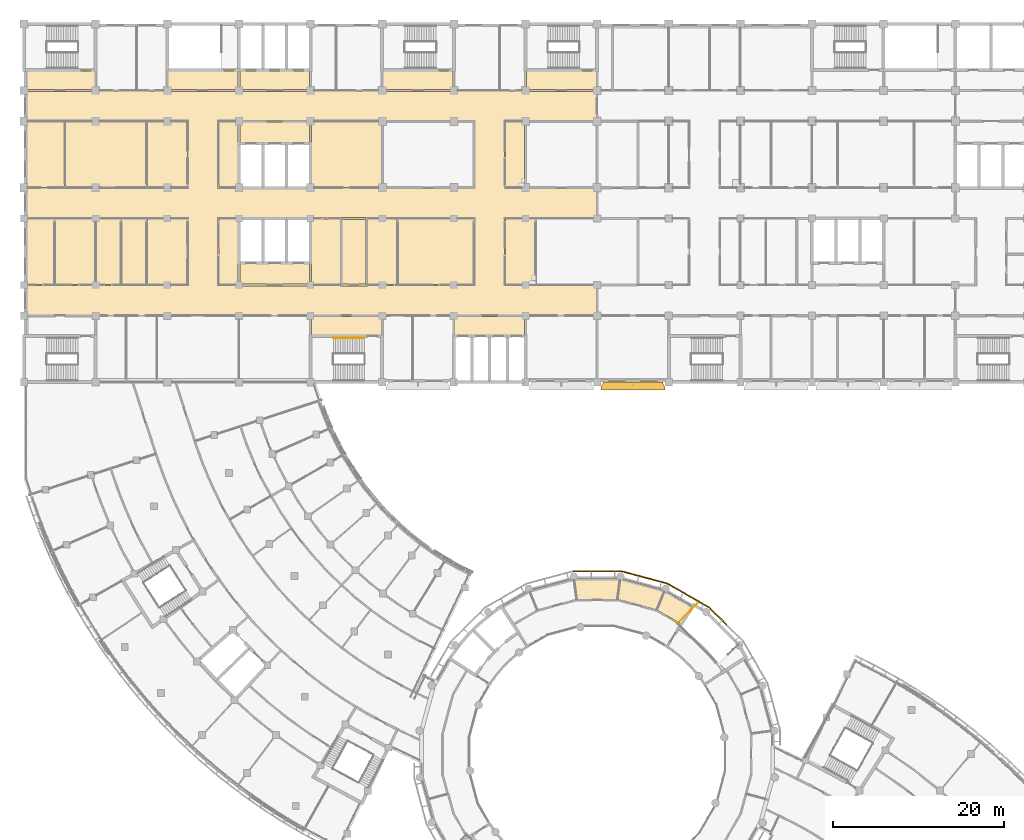
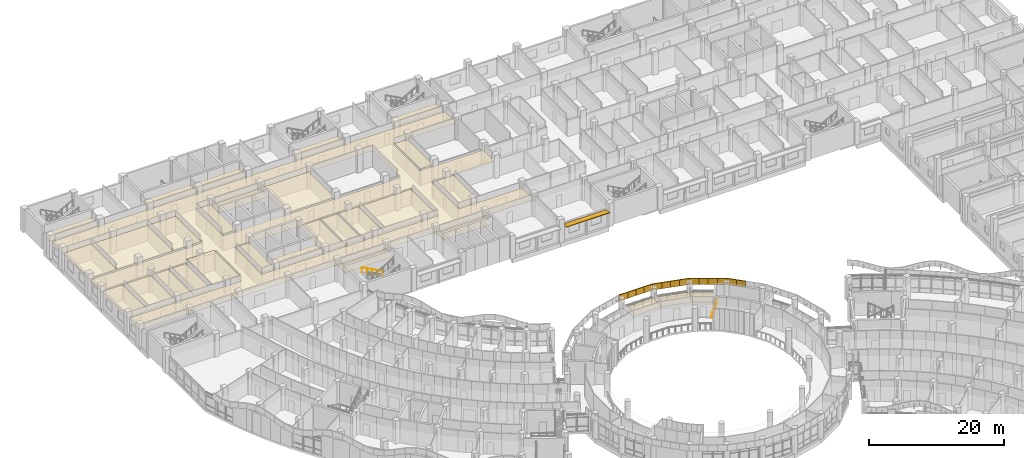
# One storey, part 101 of 109: 44 coverings, 2 railings, 1 shading device.
"""IFC4 building model written with IfcOpenShell, lengths in metres."""

from ifc_helpers import new_model, si_unit, direction, frame, origin, origin_2d, place, context, subcontext, project, spatial, polyline, circle, outline, extrude, material, layer, layer_set, type_object, element, save


model = new_model("IFC4")

# Units and contexts
model_context = context("Model", 3, precision=1e-05, world=origin(), true_north=direction((0.0, 1.0)))
body_context = subcontext(model_context, "Body", "Model", "MODEL_VIEW")
ifc_project = project(units=[si_unit("LENGTHUNIT", "METRE"), si_unit("AREAUNIT", "SQUARE_METRE"), si_unit("VOLUMEUNIT", "CUBIC_METRE"), si_unit("PLANEANGLEUNIT", "RADIAN"), si_unit("MASSUNIT", "GRAM", prefix="KILO")], contexts=[model_context])

# Site, building, storey
site_placement = place(None, origin())
site = spatial("IfcSite", under=ifc_project, at=site_placement, CompositionType="ELEMENT")
building_placement = place(site_placement, origin())
building = spatial("IfcBuilding", under=site, at=building_placement, Name="Bougainvillea Quay General Hospital", CompositionType="ELEMENT")
storey_placement = place(building_placement, frame((0.0, 0.0, 12.60009765625)))
storey = spatial("IfcBuildingStorey", under=building, at=storey_placement, Name="L02", CompositionType="ELEMENT", Elevation=12.60009765625)

# Coverings
ifc_material_1 = material(Name="Powder-coated aluminium fascia, white", Category="aluminium")
ifc_layer_1 = layer(ifc_material_1, 0.14990234375)
ifc_layer_set_1 = layer_set([ifc_layer_1], Name="Powder-coated aluminium fascia, white")
covering_type_1 = type_object("IfcCoveringType", Name="Aluminium fascia band white 150x1100", PredefinedType="CLADDING", material=ifc_layer_set_1)
covering_1_placement = place(storey_placement, frame((124.310791015625, 89.11083984375, 3.64990234375), z_axis=(0.0, 0.0, 1.0), x_axis=(-0.707106781187, 0.707106781187, 0.0)))
element("IfcCovering", 1, at=covering_1_placement, inside=storey, type_object=covering_type_1, Name="Fascia band white e1 13", PredefinedType="CLADDING", context=body_context, shape_type="SweptSolid", body=[
    extrude(outline(polyline([(0.0, 0.0), (1.370364655531937, 0.0), (1.370364655531937, -0.15019113760554115), (0.0, -0.15019113760554112), (0.0, 0.0)])), origin(), (0.0, 0.0, 1.0), 1.10009765625),
])
covering_2_placement = place(storey_placement, frame((123.341796875, 90.079833984375, 3.64990234375), z_axis=(0.0, 0.0, 1.0), x_axis=(-0.707022163611, 0.707191388638, 0.0)))
element("IfcCovering", 2, at=covering_2_placement, inside=storey, type_object=covering_type_1, Name="Fascia band white e1 14", PredefinedType="CLADDING", context=body_context, shape_type="SweptSolid", body=[
    extrude(outline(polyline([(0.0, 0.0), (1.4426980987993736, 1.1102230246251565e-16), (1.4625689014186596, -0.15001612744454185), (1.797189619842654e-05, -0.15019113653028107), (0.0, 0.0)])), origin(), (0.0, 0.0, 1.0), 1.10009765625),
])
covering_3_placement = place(storey_placement, frame((122.32177734375, 91.10009765625, 3.64990234375), z_axis=(0.0, 0.0, 1.0), x_axis=(-0.866058810152, 0.49994213401, 0.0)))
element("IfcCovering", 3, at=covering_3_placement, inside=storey, type_object=covering_type_1, Name="Fascia band white e1 15", PredefinedType="CLADDING", context=body_context, shape_type="SweptSolid", body=[
    extrude(outline(polyline([(0.0, 0.0), (1.4430380994058942, 0.0), (1.4430598671248545, -0.14995740286665526), (-0.01966128942728619, -0.15004373025304368), (0.0, 0.0)])), origin(), (0.0, 0.0, 1.0), 1.10009765625),
])
for number, where, z_axis, x_axis, name in (
    (4, (121.072021484375, 91.821533203125, 3.64990234375), (0.0, 0.0, 1.0), (-0.866031343357, 0.499989712218, 0.0), "Fascia band white e1 16"),
    (5, (119.885009765625, 92.5068359375, 3.64990234375), (0.0, 0.0, 1.0), (-0.866031343357, 0.499989712218, 0.0), "Fascia band white e1 17"),
):
    element("IfcCovering", number, at=place(storey_placement, frame(where, z_axis=z_axis, x_axis=x_axis)), inside=storey, type_object=covering_type_1, Name=name, PredefinedType="CLADDING", context=body_context, shape_type="SweptSolid", body=[
        extrude(outline(polyline([(0.0, 0.0), (1.3706336703115394, 0.0), (1.3706636762903692, -0.14995740144450076), (3.0005978829975022e-05, -0.14995740144450084), (0.0, 0.0)])), origin(), (0.0, 0.0, 1.0), 1.10009765625),
    ])
covering_4_placement = place(storey_placement, frame((118.697998046875, 93.192138671875, 3.64990234375), z_axis=(0.0, 0.0, 1.0), x_axis=(-0.866058810152, 0.49994213401, 0.0)))
element("IfcCovering", 6, at=covering_4_placement, inside=storey, type_object=covering_type_1, Name="Fascia band white e1 18", PredefinedType="CLADDING", context=body_context, shape_type="SweptSolid", body=[
    extrude(outline(polyline([(0.0, 0.0), (1.4430380994058942, 0.0), (1.4627429242711008, -0.1498710754802669), (2.176771896013341e-05, -0.14995740286665532), (0.0, 0.0)])), origin(), (0.0, 0.0, 1.0), 1.10009765625),
])
covering_5_placement = place(storey_placement, frame((117.4482421875, 93.91357421875, 3.64990234375), z_axis=(0.0, 0.0, 1.0), x_axis=(-0.965902723626, 0.258905250026, 0.0)))
element("IfcCovering", 7, at=covering_5_placement, inside=storey, type_object=covering_type_1, Name="Fascia band white e1 19", PredefinedType="CLADDING", context=body_context, shape_type="SweptSolid", body=[
    extrude(outline(polyline([(0.0, 0.0), (1.4427484812010494, 1.1102230246251565e-16), (1.4427368308614057, -0.14988922115835263), (-0.01973270080190174, -0.14986740775646634), (0.0, 0.0)])), origin(), (0.0, 0.0, 1.0), 1.10009765625),
])
for number, where, z_axis, x_axis, name in (
    (8, (116.0546875, 94.287109375, 3.64990234375), (0.0, 0.0, 1.0), (-0.965917832393, 0.258848876884, 0.0), "Fascia band white e1 20"),
    (9, (114.73095703125, 94.641845703125, 3.64990234375), (0.0, 0.0, 1.0), (-0.965917832393, 0.258848876884, 0.0), "Fascia band white e1 21"),
):
    element("IfcCovering", number, at=place(storey_placement, frame(where, z_axis=z_axis, x_axis=x_axis)), inside=storey, type_object=covering_type_1, Name=name, PredefinedType="CLADDING", context=body_context, shape_type="SweptSolid", body=[
        extrude(outline(polyline([(0.0, 0.0), (1.3704379651734342, 5.551115123125783e-17), (1.3704175668926584, -0.14988922022313056), (-2.039828077596978e-05, -0.14988922022313056), (0.0, 0.0)])), origin(), (0.0, 0.0, 1.0), 1.10009765625),
    ])
covering_6_placement = place(storey_placement, frame((113.4072265625, 94.99658203125, 3.64990234375), z_axis=(0.0, 0.0, 1.0), x_axis=(-0.96591406393, 0.258862938836, 0.0)))
element("IfcCovering", 10, at=covering_6_placement, inside=storey, type_object=covering_type_1, Name="Fascia band white e1 22", PredefinedType="CLADDING", context=body_context, shape_type="SweptSolid", body=[
    extrude(outline(polyline([(0.0, 0.0), (1.4429842986801122, 5.551115123125783e-17), (1.4626871319971926, -0.1499118977779743), (-1.8216170730327164e-05, -0.14988922050420808), (0.0, 0.0)])), origin(), (0.0, 0.0, 1.0), 1.10009765625),
])
covering_7_placement = place(storey_placement, frame((112.013427734375, 95.3701171875, 3.64990234375), z_axis=(0.0, 0.0, 1.0), x_axis=(-1.0, 0.0, 0.0)))
element("IfcCovering", 11, at=covering_7_placement, inside=storey, type_object=covering_type_1, Name="Fascia band white e1 23", PredefinedType="CLADDING", context=body_context, shape_type="SweptSolid", body=[
    extrude(outline(polyline([(0.0, 0.0), (1.44287109375, 0.0), (1.44287109375, -0.14990234375), (-0.019775390625, -0.14990234375), (0.0, 0.0)])), origin(), (0.0, 0.0, 1.0), 1.10009765625),
])
covering_8_placement = place(storey_placement, frame((110.570556640625, 95.3701171875, 3.64990234375), z_axis=(0.0, 0.0, 1.0), x_axis=(-1.0, 0.0, 0.0)))
element("IfcCovering", 12, at=covering_8_placement, inside=storey, type_object=covering_type_1, Name="Fascia band white e1 24", PredefinedType="CLADDING", context=body_context, shape_type="SweptSolid", body=[
    extrude(outline(polyline([(0.0, 0.0), (1.37060546875, 0.0), (1.37060546875, -0.14990234375), (0.0, -0.14990234375), (0.0, 0.0)])), origin(), (0.0, 0.0, 1.0), 1.10009765625),
])
covering_9_placement = place(storey_placement, frame((109.199951171875, 95.3701171875, 3.64990234375), z_axis=(0.0, 0.0, 1.0), x_axis=(-1.0, 0.0, 0.0)))
element("IfcCovering", 13, at=covering_9_placement, inside=storey, type_object=covering_type_1, Name="Fascia band white e1 25", PredefinedType="CLADDING", context=body_context, shape_type="SweptSolid", body=[
    extrude(outline(polyline([(0.0, 0.0), (1.370361328125, 0.0), (1.370361328125, -0.14990234375), (0.0, -0.14990234375), (0.0, 0.0)])), origin(), (0.0, 0.0, 1.0), 1.10009765625),
])
covering_10_placement = place(storey_placement, frame((107.82958984375, 95.3701171875, 3.64990234375), z_axis=(0.0, 0.0, 1.0), x_axis=(-1.0, 0.0, 0.0)))
element("IfcCovering", 14, at=covering_10_placement, inside=storey, type_object=covering_type_1, Name="Fascia band white e1 26", PredefinedType="CLADDING", context=body_context, shape_type="SweptSolid", body=[
    extrude(outline(polyline([(0.0, 0.0), (1.443115234375, 0.0), (1.462646484375, -0.14990234375), (0.0, -0.14990234375), (0.0, 0.0)])), origin(), (0.0, 0.0, 1.0), 1.10009765625),
])

# Railings
ifc_material_2 = material(Name="Stainless steel 304 balustrade", Category="steel")
railing_type_1 = type_object("IfcRailingType", Name="Stair guard 1100", PredefinedType="GUARDRAIL", material=ifc_material_2)
railing_1_placement = place(storey_placement, frame((121.00048828125, 91.710693359375, 0.0)))
element("IfcRailing", 15, at=railing_1_placement, inside=storey, type_object=railing_type_1, Name="L02 ST-H1 top well guard 3", PredefinedType="GUARDRAIL", context=body_context, shape_type="SweptSolid", body=[
    extrude(circle(Radius=0.02392578125, at=origin_2d()), frame((0.0, 0.0, 1.076171875), z_axis=(-0.707071148806, -0.707142411772, 0.0), x_axis=(0.707142411772, -0.707071148806, 0.0)), (0.0, 0.0, 1.0), 3.426025390625),
    extrude(circle(Radius=0.02099609375, at=origin_2d()), origin(), (0.0, 0.0, 1.0), 1.052001953125),
    extrude(circle(Radius=0.02099609375, at=origin_2d()), frame((-0.807373046875, -0.8076171875, 0.0)), (0.0, 0.0, 1.0), 1.052001953125),
    extrude(circle(Radius=0.02099609375, at=origin_2d()), frame((-1.614990234375, -1.614990234375, 0.0)), (0.0, 0.0, 1.0), 1.052001953125),
    extrude(circle(Radius=0.02099609375, at=origin_2d()), frame((-2.42236328125, -2.422607421875, 0.0)), (0.0, 0.0, 1.0), 1.052001953125),
])
ifc_material_3 = material(Name="Stainless steel 304 handrail", Category="steel")
railing_type_2 = type_object("IfcRailingType", Name="Stair handrail 900", PredefinedType="HANDRAIL", material=ifc_material_3)
railing_2_placement = place(storey_placement, frame((81.89990234375, 122.77490234375, 0.14990234375)))
element("IfcRailing", 16, at=railing_2_placement, inside=storey, type_object=railing_type_2, Name="L02 ST-B2 stair handrail 1", PredefinedType="HANDRAIL", context=body_context, shape_type="SweptSolid", body=[
    extrude(circle(Radius=0.02392578125, at=origin_2d()), frame((0.0, 0.0, 0.8759765625), z_axis=(-0.881479091078, 0.0, 0.472223053219), x_axis=(0.0, -1.0, 0.0)), (0.0, 0.0, 1.0), 4.12939453125),
    extrude(circle(Radius=0.02099609375, at=origin_2d()), origin(), (0.0, 0.0, 1.0), 0.851806640625),
    extrude(circle(Radius=0.02099609375, at=origin_2d()), frame((-0.909912109375, 0.0, 0.487548828125)), (0.0, 0.0, 1.0), 0.851806640625),
    extrude(circle(Radius=0.02099609375, at=origin_2d()), frame((-1.81982421875, 0.0, 0.97509765625)), (0.0, 0.0, 1.0), 0.851806640625),
    extrude(circle(Radius=0.02099609375, at=origin_2d()), frame((-2.72998046875, 0.0, 1.46240234375)), (0.0, 0.0, 1.0), 0.851806640625),
    extrude(circle(Radius=0.02099609375, at=origin_2d()), frame((-3.639892578125, 0.0, 1.949951171875)), (0.0, 0.0, 1.0), 0.851806640625),
])

# Shading device
ifc_material_4 = material(Name="Powder-coated aluminium canopy soffit and fascia, white", Category="aluminium")
ifc_layer_2 = layer(ifc_material_4, 0.10009765625)
ifc_layer_set_2 = layer_set([ifc_layer_2], Name="Powder-coated aluminium canopy soffit and fascia, white")
shading_device_type = type_object("IfcShadingDeviceType", Name="Sunshade 100", PredefinedType="USERDEFINED", material=ifc_layer_set_2)
shading_device_placement = place(storey_placement, frame((0.0, 0.0, 2.849853515625)))
element("IfcShadingDevice", 17, at=shading_device_placement, inside=storey, type_object=shading_device_type, Name="Sunshade 0", ObjectType="Sunshade", PredefinedType="USERDEFINED", context=body_context, shape_type="SweptSolid", body=[
    extrude(outline(polyline([(116.925048828125, 117.60009765625), (109.875, 117.60009765625), (109.862060546875, 117.46826171875), (109.82373046875, 117.341796875), (109.76123046875, 117.22509765625), (109.7216796875, 117.171875), (109.64990234375, 117.097900390625), (109.64990234375, 116.699951171875), (117.14990234375, 116.699951171875), (117.14990234375, 117.097900390625), (117.078125, 117.171875), (117.038818359375, 117.22509765625), (116.976318359375, 117.341796875), (116.93798828125, 117.46826171875), (116.925048828125, 117.60009765625)])), origin(), (0.0, 0.0, 1.0), 0.10009765625),
])

# Coverings
ifc_material_5 = material(Name="Mineral fibre ceiling tile")
ifc_layer_3 = layer(ifc_material_5, 0.030029296875)
ifc_layer_set_3 = layer_set([ifc_layer_3], Name="Mineral fibre ceiling tile")
covering_type_2 = type_object("IfcCoveringType", Name="Suspended ceiling mineral fibre tile", PredefinedType="CEILING", material=ifc_layer_set_3)
covering_11_placement = place(storey_placement, frame((0.0, 0.0, 2.699951171875)))
element("IfcCovering", 18, at=covering_11_placement, inside=storey, type_object=covering_type_2, Name="Ceiling Corridor V4-5", PredefinedType="CEILING", context=body_context, shape_type="SweptSolid", body=[
    extrude(outline(polyline([(42.0, 125.5), (50.5, 125.5), (50.5, 125.449951171875), (75.5, 125.449951171875), (75.5, 125.5), (84.10009765625, 125.5), (84.10009765625, 125.449951171875), (92.300048828125, 125.449951171875), (92.300048828125, 125.5), (100.89990234375, 125.5), (100.89990234375, 125.449951171875), (109.097900390625, 125.449951171875), (109.097900390625, 125.5), (109.10009765625, 125.5), (109.10009765625, 128.949951171875), (98.35009765625, 128.949951171875), (98.35009765625, 136.85009765625), (109.10009765625, 136.85009765625), (109.10009765625, 140.300048828125), (100.699951171875, 140.300048828125), (100.699951171875, 140.35009765625), (98.35009765625, 140.35009765625), (98.35009765625, 148.25), (100.699951171875, 148.25), (100.699951171875, 148.300048828125), (109.10009765625, 148.300048828125), (109.10009765625, 151.699951171875), (100.699951171875, 151.699951171875), (100.699951171875, 151.75), (92.5, 151.75), (92.5, 151.699951171875), (83.89990234375, 151.699951171875), (83.89990234375, 151.75), (75.699951171875, 151.75), (75.699951171875, 151.699951171875), (58.699951171875, 151.699951171875), (58.699951171875, 151.75), (50.5, 151.75), (50.5, 151.699951171875), (42.0, 151.699951171875), (42.0, 148.25), (61.25, 148.25), (61.25, 140.35009765625), (42.0, 140.35009765625), (42.0, 136.85009765625), (61.25, 136.85009765625), (61.25, 129.050048828125), (61.25, 128.949951171875), (42.0, 128.949951171875), (42.0, 125.5)]), holes=[polyline([(64.75, 128.949951171875), (67.10009765625, 128.949951171875), (67.10009765625, 128.89990234375), (75.699951171875, 128.89990234375), (75.699951171875, 128.949951171875), (79.10009765625, 128.949951171875), (79.10009765625, 128.89990234375), (82.300048828125, 128.89990234375), (82.300048828125, 128.949951171875), (94.85009765625, 128.949951171875), (94.85009765625, 136.85009765625), (82.300048828125, 136.85009765625), (82.300048828125, 136.89990234375), (79.10009765625, 136.89990234375), (79.10009765625, 136.85009765625), (64.75, 136.85009765625), (64.75, 128.949951171875)]), polyline([(64.75, 140.35009765625), (83.89990234375, 140.35009765625), (83.89990234375, 140.300048828125), (94.89990234375, 140.300048828125), (94.89990234375, 148.300048828125), (83.89990234375, 148.300048828125), (83.89990234375, 148.25), (75.699951171875, 148.25), (75.699951171875, 148.300048828125), (67.10009765625, 148.300048828125), (67.10009765625, 148.25), (64.75, 148.25), (64.75, 140.35009765625)])]), origin(), (0.0, 0.0, 1.0), 0.030029296875),
])
covering_12_placement = place(storey_placement, frame((0.0, 0.0, 2.699951171875)))
element("IfcCovering", 19, at=covering_12_placement, inside=storey, type_object=covering_type_2, Name="Ceiling Fire Lift Lobby LB-A1", PredefinedType="CEILING", context=body_context, shape_type="SweptSolid", body=[
    extrude(outline(polyline([(75.5, 148.10009765625), (67.300048828125, 148.10009765625), (67.300048828125, 145.699951171875), (75.5, 145.699951171875), (75.5, 148.10009765625)])), origin(), (0.0, 0.0, 1.0), 0.030029296875),
])
covering_13_placement = place(storey_placement, frame((0.0, 0.0, 2.699951171875)))
element("IfcCovering", 20, at=covering_13_placement, inside=storey, type_object=covering_type_2, Name="Ceiling Fire Lift Lobby LB-B1", PredefinedType="CEILING", context=body_context, shape_type="SweptSolid", body=[
    extrude(outline(polyline([(75.5, 131.5), (67.300048828125, 131.5), (67.300048828125, 129.10009765625), (75.5, 129.10009765625), (75.5, 131.5)])), origin(), (0.0, 0.0, 1.0), 0.030029296875),
])
covering_14_placement = place(storey_placement, frame((0.0, 0.0, 2.699951171875)))
element("IfcCovering", 21, at=covering_14_placement, inside=storey, type_object=covering_type_2, Name="Ceiling Lift Lobby LB-G1", PredefinedType="CEILING", context=body_context, shape_type="SweptSolid", body=[
    extrude(outline(polyline([(75.5, 154.10009765625), (67.300048828125, 154.10009765625), (67.300048828125, 151.89990234375), (75.5, 151.89990234375), (75.5, 154.10009765625)])), origin(), (0.0, 0.0, 1.0), 0.030029296875),
])
covering_15_placement = place(storey_placement, frame((0.0, 0.0, 2.699951171875)))
element("IfcCovering", 22, at=covering_15_placement, inside=storey, type_object=covering_type_2, Name="Ceiling Lift Lobby LB-P1", PredefinedType="CEILING", context=body_context, shape_type="SweptSolid", body=[
    extrude(outline(polyline([(100.699951171875, 125.300048828125), (92.5, 125.300048828125), (92.5, 123.10009765625), (100.699951171875, 123.10009765625), (100.699951171875, 125.300048828125)])), origin(), (0.0, 0.0, 1.0), 0.030029296875),
])
covering_16_placement = place(storey_placement, frame((0.0, 0.0, 2.699951171875)))
element("IfcCovering", 23, at=covering_16_placement, inside=storey, type_object=covering_type_2, Name="Ceiling Smoke-proof Stair Vestibule ST-A1", PredefinedType="CEILING", context=body_context, shape_type="SweptSolid", body=[
    extrude(outline(polyline([(42.0, 151.89990234375), (50.300048828125, 151.89990234375), (50.300048828125, 154.10009765625), (42.0, 154.10009765625), (42.0, 151.89990234375)])), origin(), (0.0, 0.0, 1.0), 0.030029296875),
])
covering_17_placement = place(storey_placement, frame((0.0, 0.0, 2.699951171875)))
element("IfcCovering", 24, at=covering_17_placement, inside=storey, type_object=covering_type_2, Name="Ceiling Smoke-proof Stair Vestibule ST-A2", PredefinedType="CEILING", context=body_context, shape_type="SweptSolid", body=[
    extrude(outline(polyline([(92.300048828125, 154.10009765625), (84.10009765625, 154.10009765625), (84.10009765625, 151.89990234375), (92.300048828125, 151.89990234375), (92.300048828125, 154.10009765625)])), origin(), (0.0, 0.0, 1.0), 0.030029296875),
])
covering_18_placement = place(storey_placement, frame((0.0, 0.0, 2.699951171875)))
element("IfcCovering", 25, at=covering_18_placement, inside=storey, type_object=covering_type_2, Name="Ceiling Smoke-proof Stair Vestibule ST-A5", PredefinedType="CEILING", context=body_context, shape_type="SweptSolid", body=[
    extrude(outline(polyline([(109.10009765625, 154.10009765625), (100.89990234375, 154.10009765625), (100.89990234375, 151.89990234375), (109.10009765625, 151.89990234375), (109.10009765625, 154.10009765625)])), origin(), (0.0, 0.0, 1.0), 0.030029296875),
])
covering_19_placement = place(storey_placement, frame((0.0, 0.0, 2.699951171875)))
element("IfcCovering", 26, at=covering_19_placement, inside=storey, type_object=covering_type_2, Name="Ceiling Smoke-proof Stair Vestibule ST-B2", PredefinedType="CEILING", context=body_context, shape_type="SweptSolid", body=[
    extrude(outline(polyline([(83.89990234375, 123.10009765625), (83.89990234375, 125.300048828125), (75.699951171875, 125.300048828125), (75.699951171875, 123.10009765625), (83.89990234375, 123.10009765625)])), origin(), (0.0, 0.0, 1.0), 0.030029296875),
])
covering_20_placement = place(storey_placement, frame((0.0, 0.0, 2.699951171875)))
element("IfcCovering", 27, at=covering_20_placement, inside=storey, type_object=covering_type_2, Name="Ceiling Smoke-proof Stair Vestibule ST-D1", PredefinedType="CEILING", context=body_context, shape_type="SweptSolid", body=[
    extrude(outline(polyline([(67.10009765625, 151.89990234375), (67.10009765625, 154.10009765625), (58.89990234375, 154.10009765625), (58.89990234375, 151.89990234375), (67.10009765625, 151.89990234375)])), origin(), (0.0, 0.0, 1.0), 0.030029296875),
])
covering_21_placement = place(storey_placement, frame((0.0, 0.0, 2.7998046875)))
element("IfcCovering", 28, at=covering_21_placement, inside=storey, type_object=covering_type_2, Name="Ceiling Rehabilitation Consulting Room", PredefinedType="CEILING", context=body_context, shape_type="SweptSolid", body=[
    extrude(outline(polyline([(42.0, 129.050048828125), (45.550048828125, 129.050048828125), (45.550048828125, 136.75), (42.0, 136.75), (42.0, 129.050048828125)])), origin(), (0.0, 0.0, 1.0), 0.030029296875),
])
covering_22_placement = place(storey_placement, frame((0.0, 0.0, 2.7998046875)))
element("IfcCovering", 29, at=covering_22_placement, inside=storey, type_object=covering_type_2, Name="Ceiling Prosthetics and Orthotics Workshop", PredefinedType="CEILING", context=body_context, shape_type="SweptSolid", body=[
    extrude(outline(polyline([(45.64990234375, 129.050048828125), (50.35009765625, 129.050048828125), (50.35009765625, 136.75), (45.64990234375, 136.75), (45.64990234375, 129.050048828125)])), origin(), (0.0, 0.0, 1.0), 0.030029296875),
])
covering_23_placement = place(storey_placement, frame((0.0, 0.0, 2.7998046875)))
element("IfcCovering", 30, at=covering_23_placement, inside=storey, type_object=covering_type_2, Name="Ceiling Rehabilitation Changing Room 01", PredefinedType="CEILING", context=body_context, shape_type="SweptSolid", body=[
    extrude(outline(polyline([(50.449951171875, 136.75), (50.449951171875, 129.050048828125), (53.35009765625, 129.050048828125), (53.35009765625, 136.75), (50.449951171875, 136.75)])), origin(), (0.0, 0.0, 1.0), 0.030029296875),
])
covering_24_placement = place(storey_placement, frame((0.0, 0.0, 2.7998046875)))
element("IfcCovering", 31, at=covering_24_placement, inside=storey, type_object=covering_type_2, Name="Ceiling Rehabilitation Accessible WC", PredefinedType="CEILING", context=body_context, shape_type="SweptSolid", body=[
    extrude(outline(polyline([(53.449951171875, 136.75), (53.449951171875, 129.050048828125), (56.35009765625, 129.050048828125), (56.35009765625, 136.75), (53.449951171875, 136.75)])), origin(), (0.0, 0.0, 1.0), 0.030029296875),
])
covering_25_placement = place(storey_placement, frame((0.0, 0.0, 3.5498046875)))
element("IfcCovering", 32, at=covering_25_placement, inside=storey, type_object=covering_type_2, Name="Ceiling Rehabilitation Gymnasium", PredefinedType="CEILING", context=body_context, shape_type="SweptSolid", body=[
    extrude(outline(polyline([(56.449951171875, 129.050048828125), (61.14990234375, 129.050048828125), (61.14990234375, 136.75), (56.449951171875, 136.75), (56.449951171875, 129.050048828125)])), origin(), (0.0, 0.0, 1.0), 0.030029296875),
])
covering_26_placement = place(storey_placement, frame((0.0, 0.0, 2.7998046875)))
element("IfcCovering", 33, at=covering_26_placement, inside=storey, type_object=covering_type_2, Name="Ceiling Physiotherapy Treatment Room 03", PredefinedType="CEILING", context=body_context, shape_type="SweptSolid", body=[
    extrude(outline(polyline([(67.14990234375, 131.699951171875), (67.14990234375, 136.75), (64.85009765625, 136.75), (64.85009765625, 129.050048828125), (67.10009765625, 129.050048828125), (67.10009765625, 131.699951171875), (67.14990234375, 131.699951171875)])), origin(), (0.0, 0.0, 1.0), 0.030029296875),
])
covering_27_placement = place(storey_placement, frame((0.0, 0.0, 2.7998046875)))
element("IfcCovering", 34, at=covering_27_placement, inside=storey, type_object=covering_type_2, Name="Ceiling Education Office", PredefinedType="CEILING", context=body_context, shape_type="SweptSolid", body=[
    extrude(outline(polyline([(75.699951171875, 131.699951171875), (75.699951171875, 129.050048828125), (79.10009765625, 129.050048828125), (79.10009765625, 136.75), (75.64990234375, 136.75), (75.64990234375, 131.699951171875), (75.699951171875, 131.699951171875)])), origin(), (0.0, 0.0, 1.0), 0.030029296875),
])
covering_28_placement = place(storey_placement, frame((0.0, 0.0, 2.7998046875)))
element("IfcCovering", 35, at=covering_28_placement, inside=storey, type_object=covering_type_2, Name="Ceiling Education Store", PredefinedType="CEILING", context=body_context, shape_type="SweptSolid", body=[
    extrude(outline(polyline([(82.10009765625, 129.10009765625), (82.10009765625, 136.699951171875), (79.300048828125, 136.699951171875), (79.300048828125, 129.10009765625), (82.10009765625, 129.10009765625)])), origin(), (0.0, 0.0, 1.0), 0.030029296875),
])
covering_29_placement = place(storey_placement, frame((0.0, 0.0, 2.7998046875)))
element("IfcCovering", 36, at=covering_29_placement, inside=storey, type_object=covering_type_2, Name="Ceiling Trainee Changing Room", PredefinedType="CEILING", context=body_context, shape_type="SweptSolid", body=[
    extrude(outline(polyline([(85.75, 129.050048828125), (85.75, 136.75), (82.300048828125, 136.75), (82.300048828125, 129.050048828125), (85.75, 129.050048828125)])), origin(), (0.0, 0.0, 1.0), 0.030029296875),
])
covering_30_placement = place(storey_placement, frame((0.0, 0.0, 2.7998046875)))
element("IfcCovering", 37, at=covering_30_placement, inside=storey, type_object=covering_type_2, Name="Ceiling Education Foyer", PredefinedType="CEILING", context=body_context, shape_type="SweptSolid", body=[
    extrude(outline(polyline([(94.75, 129.050048828125), (94.75, 136.75), (85.85009765625, 136.75), (85.85009765625, 129.050048828125), (94.75, 129.050048828125)])), origin(), (0.0, 0.0, 1.0), 0.030029296875),
])
covering_31_placement = place(storey_placement, frame((0.0, 0.0, 2.7998046875)))
element("IfcCovering", 38, at=covering_31_placement, inside=storey, type_object=covering_type_2, Name="Ceiling Education WC 01", PredefinedType="CEILING", context=body_context, shape_type="SweptSolid", body=[
    extrude(outline(polyline([(98.449951171875, 136.75), (98.449951171875, 129.050048828125), (101.949951171875, 129.050048828125), (101.949951171875, 136.75), (98.449951171875, 136.75)])), origin(), (0.0, 0.0, 1.0), 0.030029296875),
])
covering_32_placement = place(storey_placement, frame((0.0, 0.0, 2.7998046875)))
element("IfcCovering", 39, at=covering_32_placement, inside=storey, type_object=covering_type_2, Name="Ceiling Hospital Director Office", PredefinedType="CEILING", context=body_context, shape_type="SweptSolid", body=[
    extrude(outline(polyline([(42.0, 140.449951171875), (46.75, 140.449951171875), (46.75, 148.14990234375), (42.0, 148.14990234375), (42.0, 140.449951171875)])), origin(), (0.0, 0.0, 1.0), 0.030029296875),
])
covering_33_placement = place(storey_placement, frame((0.0, 0.0, 2.7998046875)))
element("IfcCovering", 40, at=covering_33_placement, inside=storey, type_object=covering_type_2, Name="Ceiling Open Plan Administration Office", PredefinedType="CEILING", context=body_context, shape_type="SweptSolid", body=[
    extrude(outline(polyline([(56.35009765625, 140.449951171875), (56.35009765625, 148.14990234375), (46.85009765625, 148.14990234375), (46.85009765625, 140.449951171875), (56.35009765625, 140.449951171875)])), origin(), (0.0, 0.0, 1.0), 0.030029296875),
])
covering_34_placement = place(storey_placement, frame((0.0, 0.0, 2.7998046875)))
element("IfcCovering", 41, at=covering_34_placement, inside=storey, type_object=covering_type_2, Name="Ceiling Finance Office", PredefinedType="CEILING", context=body_context, shape_type="SweptSolid", body=[
    extrude(outline(polyline([(61.14990234375, 140.449951171875), (61.14990234375, 148.14990234375), (56.449951171875, 148.14990234375), (56.449951171875, 140.449951171875), (61.14990234375, 140.449951171875)])), origin(), (0.0, 0.0, 1.0), 0.030029296875),
])
covering_35_placement = place(storey_placement, frame((0.0, 0.0, 2.7998046875)))
element("IfcCovering", 42, at=covering_35_placement, inside=storey, type_object=covering_type_2, Name="Ceiling Open Plan Administration Office", PredefinedType="CEILING", context=body_context, shape_type="SweptSolid", body=[
    extrude(outline(polyline([(64.85009765625, 148.14990234375), (64.85009765625, 140.449951171875), (67.14990234375, 140.449951171875), (67.14990234375, 145.5), (67.10009765625, 145.5), (67.10009765625, 148.14990234375), (64.85009765625, 148.14990234375)])), origin(), (0.0, 0.0, 1.0), 0.030029296875),
])
covering_36_placement = place(storey_placement, frame((0.0, 0.0, 2.7998046875)))
element("IfcCovering", 43, at=covering_36_placement, inside=storey, type_object=covering_type_2, Name="Ceiling Finance Office", PredefinedType="CEILING", context=body_context, shape_type="SweptSolid", body=[
    extrude(outline(polyline([(75.64990234375, 145.5), (75.64990234375, 140.449951171875), (83.89990234375, 140.449951171875), (83.89990234375, 148.14990234375), (75.699951171875, 148.14990234375), (75.699951171875, 145.5), (75.64990234375, 145.5)])), origin(), (0.0, 0.0, 1.0), 0.030029296875),
])
covering_37_placement = place(storey_placement, frame((0.0, 0.0, 2.7998046875)))
element("IfcCovering", 44, at=covering_37_placement, inside=storey, type_object=covering_type_2, Name="Ceiling IT WC", PredefinedType="CEILING", context=body_context, shape_type="SweptSolid", body=[
    extrude(outline(polyline([(98.449951171875, 148.14990234375), (98.449951171875, 140.449951171875), (100.699951171875, 140.449951171875), (100.699951171875, 148.14990234375), (98.449951171875, 148.14990234375)])), origin(), (0.0, 0.0, 1.0), 0.030029296875),
])
covering_38_placement = place(storey_placement, frame((0.0, 0.0, 2.699951171875)))
element("IfcCovering", 45, at=covering_38_placement, inside=storey, type_object=covering_type_2, Name="Ceiling Patient Education Room 02H0111", PredefinedType="CEILING", context=body_context, shape_type="SweptSolid", body=[
    extrude(outline(polyline([(117.27978515625, 93.375732421875), (116.252685546875, 90.896728515625), (116.266845703125, 90.89306640625), (116.262451171875, 90.876220703125), (119.03173828125, 89.277587890625), (119.033935546875, 89.28076171875), (119.05517578125, 89.266845703125), (120.51171875, 91.510009765625), (117.27978515625, 93.375732421875)])), origin(), (0.0, 0.0, 1.0), 0.030029296875),
])
covering_39_placement = place(storey_placement, frame((0.0, 0.0, 2.699951171875)))
element("IfcCovering", 46, at=covering_39_placement, inside=storey, type_object=covering_type_2, Name="Ceiling Patient Education Room 02H0112", PredefinedType="CEILING", context=body_context, shape_type="SweptSolid", body=[
    extrude(outline(polyline([(111.98974609375, 94.806884765625), (111.639404296875, 92.14697265625), (111.654052734375, 92.14697265625), (111.654052734375, 92.129638671875), (116.138916015625, 90.92724609375), (116.1474609375, 90.9423828125), (116.16015625, 90.93505859375), (117.187255859375, 93.4140625), (111.98974609375, 94.806884765625)])), origin(), (0.0, 0.0, 1.0), 0.030029296875),
])
covering_40_placement = place(storey_placement, frame((0.0, 0.0, 2.699951171875)))
element("IfcCovering", 47, at=covering_40_placement, inside=storey, type_object=covering_type_2, Name="Ceiling Teaching Room 02H0113", PredefinedType="CEILING", context=body_context, shape_type="SweptSolid", body=[
    extrude(outline(polyline([(106.509521484375, 94.820068359375), (106.85986328125, 92.16015625), (106.8740234375, 92.163818359375), (106.878662109375, 92.14697265625), (111.521484375, 92.14697265625), (111.52587890625, 92.163818359375), (111.540283203125, 92.16015625), (111.890625, 94.820068359375), (106.509521484375, 94.820068359375)])), origin(), (0.0, 0.0, 1.0), 0.030029296875),
])

save(model, "model.ifc")
